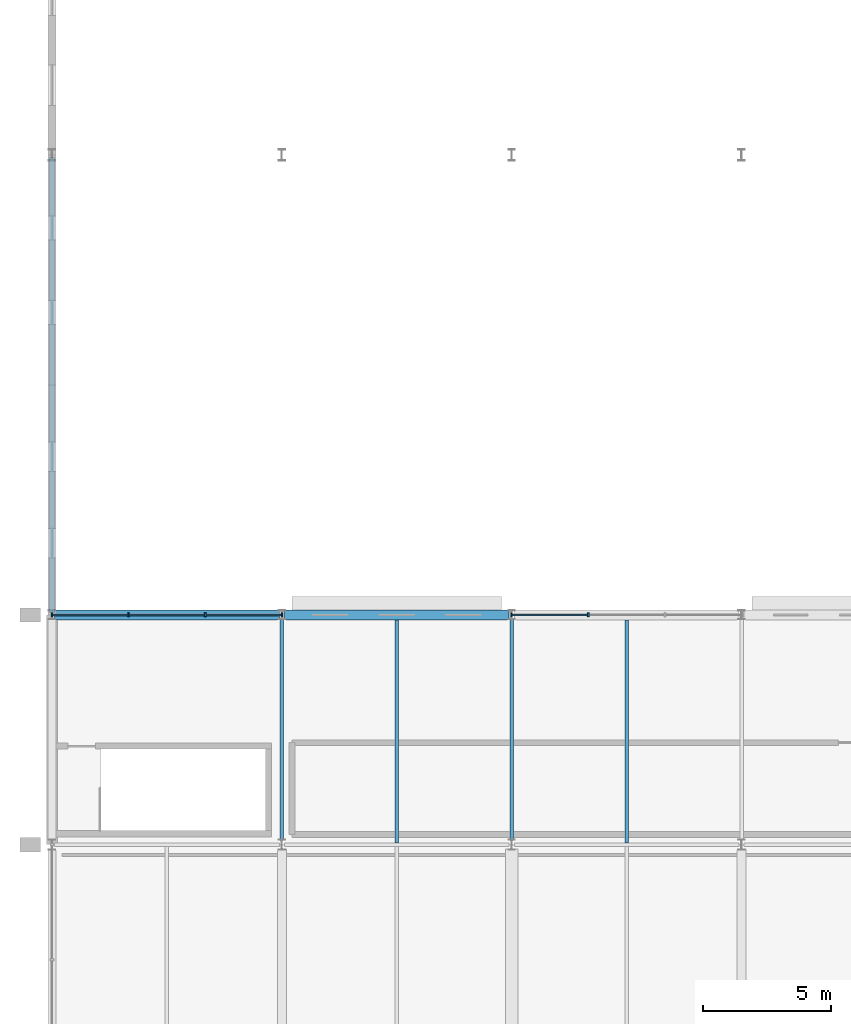
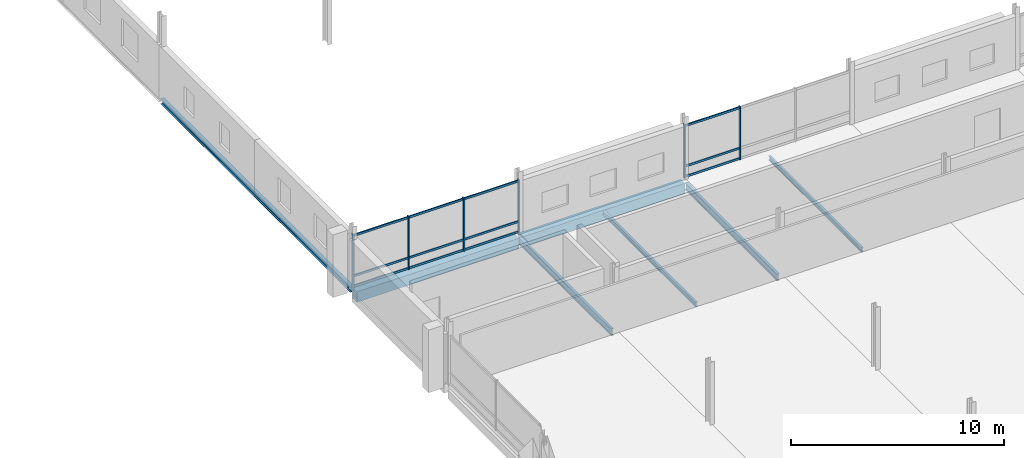
# One storey, part 47 of 132: 18 members, 7 beams, 2 elements without a shape of their own.
"""IFC4 building model written with IfcOpenShell, lengths in metres."""

import ifcopenshell
import ifcopenshell.guid

model = None  # the IFC model being written
_history = None  # IfcOwnerHistory: only IFC2X3 demands one
_inside = {}  # id of a spatial element -> (the spatial element, [elements in it])
_under = {}  # id of a project, library or spatial element -> (it, [spatial elements below it])
_declared = {}  # id of a project -> (the project, [libraries it declares])
_typed = {}  # id of a type object -> (the type object, [elements of that type])
_made_of = {}  # id of a material, layer set ... -> (it, [elements and type objects made of it])


def new_model(schema):
    """Start an empty IFC model of exactly this schema.

    Asked for "IFC4X3", IfcOpenShell would pick the latest addendum, in which some entities
    have other attributes; the version numbers below select the first issue.
    IFC2X3 requires an IfcOwnerHistory on every rooted entity: one is made here for all.
    """
    global model, _history
    if schema == "IFC4X3":
        model = ifcopenshell.file(schema_version=(4, 3, 0, 0))
    else:
        model = ifcopenshell.file(schema=schema)
    _inside.clear()
    _under.clear()
    _declared.clear()
    _typed.clear()
    _made_of.clear()
    _history = None
    if model.schema == "IFC2X3":
        org = make("IfcOrganization", Name="unknown")
        user = make(
            "IfcPersonAndOrganization",
            ThePerson=make("IfcPerson", FamilyName="unknown"),
            TheOrganization=org,
        )
        app = make(
            "IfcApplication",
            ApplicationDeveloper=org,
            Version="unknown",
            ApplicationFullName="unknown",
            ApplicationIdentifier="unknown",
        )
        _history = make(
            "IfcOwnerHistory",
            OwningUser=user,
            OwningApplication=app,
            ChangeAction="ADDED",
            CreationDate=0,
        )
    return model


def make(cls, **values):
    """One entity of the class cls with the attributes given. An attribute that is None is left unset."""
    return model.create_entity(
        cls, **{name: value for name, value in values.items() if value is not None}
    )


def rooted(cls, **values):
    """An entity with a GlobalId (a new one), such as an element, a storey or a relation."""
    return make(cls, GlobalId=ifcopenshell.guid.new(), OwnerHistory=_history, **values)


def si_unit(unit_type, name, prefix=None):
    """IfcSIUnit, for example si_unit("LENGTHUNIT", "METRE", prefix="MILLI")."""
    return make("IfcSIUnit", UnitType=unit_type, Prefix=prefix, Name=name)


def assignment(units):
    """IfcUnitAssignment: the units of a project."""
    return None if units is None else make("IfcUnitAssignment", Units=units)


def point(xyz):
    """IfcCartesianPoint."""
    return None if xyz is None else make("IfcCartesianPoint", Coordinates=xyz)


def direction(xyz):
    """IfcDirection."""
    return None if xyz is None else make("IfcDirection", DirectionRatios=xyz)


def frame(location, z_axis=None, x_axis=None):
    """IfcAxis2Placement3D, a coordinate frame: its origin and axes. An axis left out is left unset."""
    return make(
        "IfcAxis2Placement3D",
        Location=point(location),
        Axis=direction(z_axis),
        RefDirection=direction(x_axis),
    )


def frame_2d(location, x_axis=None):
    """IfcAxis2Placement2D, a coordinate frame in the plane: its origin and x axis."""
    return make(
        "IfcAxis2Placement2D", Location=point(location), RefDirection=direction(x_axis)
    )


def origin():
    """The frame at (0, 0, 0) with its axes left unset."""
    return frame((0.0, 0.0, 0.0))


def origin_2d():
    """The frame at (0, 0) in the plane with its x axis left unset."""
    return frame_2d((0.0, 0.0))


def place(relative_to, where):
    """IfcLocalPlacement: puts the frame where relative to a parent placement (None: the world)."""
    return make(
        "IfcLocalPlacement", PlacementRelTo=relative_to, RelativePlacement=where
    )


def context(
    kind, dimensions, precision=None, world=None, true_north=None, identifier=None
):
    """IfcGeometricRepresentationContext, for example the 3D "Model" context."""
    return make(
        "IfcGeometricRepresentationContext",
        ContextIdentifier=identifier,
        ContextType=kind,
        CoordinateSpaceDimension=dimensions,
        Precision=precision,
        WorldCoordinateSystem=world,
        TrueNorth=true_north,
    )


def subcontext(parent, identifier, kind, view, scale=None):
    """IfcGeometricRepresentationSubContext, for example "Body" below "Model"."""
    return make(
        "IfcGeometricRepresentationSubContext",
        ContextIdentifier=identifier,
        ContextType=kind,
        ParentContext=parent,
        TargetScale=scale,
        TargetView=view,
    )


def project(units=None, contexts=None):
    """IfcProject with its units and contexts."""
    return rooted(
        "IfcProject",
        Name="project",
        RepresentationContexts=contexts,
        UnitsInContext=assignment(units),
    )


def spatial(cls, under=None, at=None, **own):
    """A site, building, storey or space (cls), placed at a placement, below another one or the project."""
    s = rooted(cls, ObjectPlacement=at, **own)
    if under is not None:
        _under.setdefault(under.id(), (under, []))[1].append(s)
    return s


def profile(cls, at=None, kind="AREA", **sizes):
    """A parametric profile (cls). Its sizes go by their IFC names, for example OverallWidth=200.0."""
    return make(cls, ProfileType=kind, Position=at, **sizes)


def rectangle(**sizes):
    """IfcRectangleProfileDef."""
    return profile("IfcRectangleProfileDef", **sizes)


def i_section(**sizes):
    """IfcIShapeProfileDef."""
    return profile("IfcIShapeProfileDef", **sizes)


def extrude(swept, where, along, depth):
    """IfcExtrudedAreaSolid: the profile swept, set in the frame where, extruded along a direction by depth."""
    return make(
        "IfcExtrudedAreaSolid",
        SweptArea=swept,
        Position=where,
        ExtrudedDirection=direction(along),
        Depth=depth,
    )


def shape(context_of_items, identifier, shape_type, items):
    """IfcShapeRepresentation: the items that make up one representation, for example the "Body"."""
    return make(
        "IfcShapeRepresentation",
        ContextOfItems=context_of_items,
        RepresentationIdentifier=identifier,
        RepresentationType=shape_type,
        Items=items,
    )


def material(Name=None, Category=None):
    """IfcMaterial."""
    return make("IfcMaterial", Name=Name, Category=Category)


def material_profile(
    of_material, cross_section, Name=None, Category=None, Priority=None
):
    """IfcMaterialProfile: a cross section and its material."""
    return make(
        "IfcMaterialProfile",
        Name=Name,
        Material=of_material,
        Profile=cross_section,
        Priority=Priority,
        Category=Category,
    )


def profile_set(profiles, Name=None, composite=None):
    """IfcMaterialProfileSet."""
    return make(
        "IfcMaterialProfileSet",
        Name=Name,
        MaterialProfiles=profiles,
        CompositeProfile=composite,
    )


def made_of(thing, what):
    """Note that an element or type object is made of a material, layer set ...; save() writes the relation."""
    if what is not None:
        _made_of.setdefault(what.id(), (what, []))[1].append(thing)
    return thing


def type_object(cls, material=None, **own):
    """A type object (cls), such as IfcWallType, which elements share."""
    return made_of(rooted(cls, **own), material)


def element(
    cls,
    number,
    at=None,
    inside=None,
    cuts=None,
    type_object=None,
    material=None,
    context=None,
    identifier="Body",
    shape_type=None,
    held_by="IfcProductDefinitionShape",
    body=None,
    shapes=None,
    **own,
):
    """One element of the class cls, such as IfcWall. Its Tag is "e" and its number.

    at: its placement. inside: the storey or other place that contains it. cuts: it is an
    opening in that element (IfcRelVoidsElement). A single representation is given by context,
    identifier, shape_type and body (its items); several are given by shapes. held_by: the class
    of the entity that holds the representations. save() writes the other relations.
    """
    e = rooted(cls, Tag="e%d" % number, ObjectPlacement=at, **own)
    if body is not None:
        shapes = [shape(context, identifier, shape_type, body)]
    if shapes is not None:
        e.Representation = make(held_by, Representations=shapes)
    if inside is not None:
        _inside.setdefault(inside.id(), (inside, []))[1].append(e)
    if cuts is not None:
        rooted(
            "IfcRelVoidsElement", RelatingBuildingElement=cuts, RelatedOpeningElement=e
        )
    if type_object is not None:
        _typed.setdefault(type_object.id(), (type_object, []))[1].append(e)
    return made_of(e, material)


def aggregate(whole, parts):
    """IfcRelAggregates: a whole, such as a stair, and the parts it consists of."""
    return rooted("IfcRelAggregates", RelatingObject=whole, RelatedObjects=parts)


def save(model, path):
    """Write the relations noted so far, then the file.

    IfcRelAggregates (storeys below a building ...), IfcRelContainedInSpatialStructure (elements
    in a storey), IfcRelDefinesByType, IfcRelAssociatesMaterial and IfcRelDeclares: one each for
    every whole, place, type object, material and project.
    """
    for whole, parts in _under.values():
        aggregate(whole, parts)
    for where, things in _inside.values():
        rooted(
            "IfcRelContainedInSpatialStructure",
            RelatedElements=things,
            RelatingStructure=where,
        )
    for kind, things in _typed.values():
        rooted("IfcRelDefinesByType", RelatedObjects=things, RelatingType=kind)
    for what, things in _made_of.values():
        rooted("IfcRelAssociatesMaterial", RelatedObjects=things, RelatingMaterial=what)
    for by, libraries in _declared.values():
        rooted("IfcRelDeclares", RelatingContext=by, RelatedDefinitions=libraries)
    model.write(path)


model = new_model("IFC4")

# Units and contexts
model_context = context("Model", 3, precision=1e-05, world=origin(), true_north=direction((0.0, 1.0)))
body_context = subcontext(model_context, "Body", "Model", "MODEL_VIEW")
ifc_project = project(units=[si_unit("LENGTHUNIT", "METRE"), si_unit("AREAUNIT", "SQUARE_METRE"), si_unit("VOLUMEUNIT", "CUBIC_METRE"), si_unit("PLANEANGLEUNIT", "RADIAN"), si_unit("MASSUNIT", "GRAM", prefix="KILO")], contexts=[model_context])

# Site, building, storey
site_placement = place(None, origin())
site = spatial("IfcSite", under=ifc_project, at=site_placement, CompositionType="ELEMENT")
building_placement = place(site_placement, origin())
building = spatial("IfcBuilding", under=site, at=building_placement, Name="Tharagai Park Tramway Depot", CompositionType="ELEMENT")
storey_placement = place(building_placement, frame((0.0, 0.0, 4.800048828125)))
storey = spatial("IfcBuildingStorey", under=building, at=storey_placement, Name="L01", CompositionType="ELEMENT", Elevation=4.800048828125)

# Beams
ifc_material_1 = material(Name="Steel E350", Category="steel")
ifc_material_profile_1 = material_profile(ifc_material_1, i_section(OverallWidth=0.139892578125, OverallDepth=0.39990234375, WebThickness=0.0087890625, FlangeThickness=0.01611328125, FilletRadius=0.013916015625, at=origin_2d()), Name="ISMB 400")
ifc_profile_set_1 = profile_set([ifc_material_profile_1], Name="Steel E350")
beam_type_1 = type_object("IfcBeamType", Name="BM-06", PredefinedType="BEAM", material=ifc_profile_set_1)
for number, where, z_axis, x_axis, name in (
    (1, (9.0, 90.175048828125, -0.380126953125), (0.0, 1.0, 0.0), (-1.0, 0.0, 0.0), "L01 Grid Beam BM-06"),
    (2, (18.0, 90.175048828125, -0.380126953125), (0.0, 1.0, 0.0), (-1.0, 0.0, 0.0), "L01 Grid Beam BM-06"),
):
    element("IfcBeam", number, at=place(storey_placement, frame(where, z_axis=z_axis, x_axis=x_axis)), inside=storey, type_object=beam_type_1, Name=name, PredefinedType="BEAM", context=body_context, shape_type="SweptSolid", body=[
        extrude(i_section(OverallWidth=0.139892578125, OverallDepth=0.39990234375, WebThickness=0.0087890625, FlangeThickness=0.01611328125, FilletRadius=0.013916015625, at=origin_2d()), origin(), (0.0, 0.0, 1.0), 8.675048828125),
    ])

# Curtain wall, members
ifc_material_2 = material(Name="Anodised aluminium", Category="aluminium")
curtain_wall_type = type_object("IfcCurtainWallType", Name="CW-01", PredefinedType="NOTDEFINED", material=ifc_material_2)
curtain_wall_1_placement = place(storey_placement, origin())
curtain_wall_1 = element("IfcCurtainWall", 3, at=curtain_wall_1_placement, inside=storey, type_object=curtain_wall_type, Name="L01 V1 Gothic Mullioned Curtain Wall CW-01", PredefinedType="NOTDEFINED")
ifc_material_profile_2 = material_profile(ifc_material_2, rectangle(XDim=0.06494140625, YDim=0.1201171875, at=origin_2d()), Name="ALU 65x120")
ifc_profile_set_2 = profile_set([ifc_material_profile_2], Name="Anodised aluminium")
member_type_1 = type_object("IfcMemberType", Name="CM-01", PredefinedType="USERDEFINED", material=ifc_profile_set_2)
member_1_placement = place(storey_placement, frame((0.010986328125, 99.0, 0.06005859375), z_axis=(1.0, 0.0, 0.0), x_axis=(0.0, 1.0, 0.0)))
member_1 = element("IfcMember", 4, at=member_1_placement, type_object=member_type_1, Name="L01 V1 Gothic Mullioned Curtain Wall Transom 1.1", ObjectType="TRANSOM", PredefinedType="USERDEFINED", context=body_context, shape_type="SweptSolid", body=[
    extrude(rectangle(XDim=0.06494140625, YDim=0.1201171875, at=origin_2d()), origin(), (0.0, 0.0, 1.0), 2.97265625),
])
member_2_placement = place(storey_placement, frame((0.010986328125, 99.0, 0.64990234375), z_axis=(1.0, 0.0, 0.0), x_axis=(0.0, 1.0, 0.0)))
member_2 = element("IfcMember", 5, at=member_2_placement, type_object=member_type_1, Name="L01 V1 Gothic Mullioned Curtain Wall Transom 1.2", ObjectType="TRANSOM", PredefinedType="USERDEFINED", context=body_context, shape_type="SweptSolid", body=[
    extrude(rectangle(XDim=0.06494140625, YDim=0.1201171875, at=origin_2d()), origin(), (0.0, 0.0, 1.0), 2.97265625),
])
member_3_placement = place(storey_placement, frame((0.010986328125, 99.0, 2.969970703125), z_axis=(1.0, 0.0, 0.0), x_axis=(0.0, 1.0, 0.0)))
member_3 = element("IfcMember", 6, at=member_3_placement, type_object=member_type_1, Name="L01 V1 Gothic Mullioned Curtain Wall Transom 1.3", ObjectType="TRANSOM", PredefinedType="USERDEFINED", context=body_context, shape_type="SweptSolid", body=[
    extrude(rectangle(XDim=0.06494140625, YDim=0.1201171875, at=origin_2d()), origin(), (0.0, 0.0, 1.0), 2.97265625),
])
member_4_placement = place(storey_placement, frame((3.013671875, 99.0, 0.06005859375), z_axis=(1.0, 0.0, 0.0), x_axis=(0.0, 1.0, 0.0)))
member_4 = element("IfcMember", 7, at=member_4_placement, type_object=member_type_1, Name="L01 V1 Gothic Mullioned Curtain Wall Transom 2.1", ObjectType="TRANSOM", PredefinedType="USERDEFINED", context=body_context, shape_type="SweptSolid", body=[
    extrude(rectangle(XDim=0.06494140625, YDim=0.1201171875, at=origin_2d()), origin(), (0.0, 0.0, 1.0), 2.97265625),
])
member_5_placement = place(storey_placement, frame((3.013671875, 99.0, 0.64990234375), z_axis=(1.0, 0.0, 0.0), x_axis=(0.0, 1.0, 0.0)))
member_5 = element("IfcMember", 8, at=member_5_placement, type_object=member_type_1, Name="L01 V1 Gothic Mullioned Curtain Wall Transom 2.2", ObjectType="TRANSOM", PredefinedType="USERDEFINED", context=body_context, shape_type="SweptSolid", body=[
    extrude(rectangle(XDim=0.06494140625, YDim=0.1201171875, at=origin_2d()), origin(), (0.0, 0.0, 1.0), 2.97265625),
])
member_6_placement = place(storey_placement, frame((3.013671875, 99.0, 2.969970703125), z_axis=(1.0, 0.0, 0.0), x_axis=(0.0, 1.0, 0.0)))
member_6 = element("IfcMember", 9, at=member_6_placement, type_object=member_type_1, Name="L01 V1 Gothic Mullioned Curtain Wall Transom 2.3", ObjectType="TRANSOM", PredefinedType="USERDEFINED", context=body_context, shape_type="SweptSolid", body=[
    extrude(rectangle(XDim=0.06494140625, YDim=0.1201171875, at=origin_2d()), origin(), (0.0, 0.0, 1.0), 2.97265625),
])
member_7_placement = place(storey_placement, frame((6.016357421875, 99.0, 0.06005859375), z_axis=(1.0, 0.0, 0.0), x_axis=(0.0, 1.0, 0.0)))
member_7 = element("IfcMember", 10, at=member_7_placement, type_object=member_type_1, Name="L01 V1 Gothic Mullioned Curtain Wall Transom 3.1", ObjectType="TRANSOM", PredefinedType="USERDEFINED", context=body_context, shape_type="SweptSolid", body=[
    extrude(rectangle(XDim=0.06494140625, YDim=0.1201171875, at=origin_2d()), origin(), (0.0, 0.0, 1.0), 2.97265625),
])
member_8_placement = place(storey_placement, frame((6.016357421875, 99.0, 0.64990234375), z_axis=(1.0, 0.0, 0.0), x_axis=(0.0, 1.0, 0.0)))
member_8 = element("IfcMember", 11, at=member_8_placement, type_object=member_type_1, Name="L01 V1 Gothic Mullioned Curtain Wall Transom 3.2", ObjectType="TRANSOM", PredefinedType="USERDEFINED", context=body_context, shape_type="SweptSolid", body=[
    extrude(rectangle(XDim=0.06494140625, YDim=0.1201171875, at=origin_2d()), origin(), (0.0, 0.0, 1.0), 2.97265625),
])
member_9_placement = place(storey_placement, frame((6.016357421875, 99.0, 2.969970703125), z_axis=(1.0, 0.0, 0.0), x_axis=(0.0, 1.0, 0.0)))
member_9 = element("IfcMember", 12, at=member_9_placement, type_object=member_type_1, Name="L01 V1 Gothic Mullioned Curtain Wall Transom 3.3", ObjectType="TRANSOM", PredefinedType="USERDEFINED", context=body_context, shape_type="SweptSolid", body=[
    extrude(rectangle(XDim=0.06494140625, YDim=0.1201171875, at=origin_2d()), origin(), (0.0, 0.0, 1.0), 2.97265625),
])

curtain_wall_2_placement = place(storey_placement, origin())
curtain_wall_2 = element("IfcCurtainWall", 13, at=curtain_wall_2_placement, inside=storey, type_object=curtain_wall_type, Name="L01 V1 Gothic Mullioned Curtain Wall CW-01", PredefinedType="NOTDEFINED")
member_10_placement = place(storey_placement, frame((18.010986328125, 99.0, 0.06005859375), z_axis=(1.0, 0.0, 0.0), x_axis=(0.0, 1.0, 0.0)))
member_10 = element("IfcMember", 14, at=member_10_placement, type_object=member_type_1, Name="L01 V1 Gothic Mullioned Curtain Wall Transom 1.1", ObjectType="TRANSOM", PredefinedType="USERDEFINED", context=body_context, shape_type="SweptSolid", body=[
    extrude(rectangle(XDim=0.06494140625, YDim=0.1201171875, at=origin_2d()), origin(), (0.0, 0.0, 1.0), 2.97265625),
])
member_11_placement = place(storey_placement, frame((18.010986328125, 99.0, 0.64990234375), z_axis=(1.0, 0.0, 0.0), x_axis=(0.0, 1.0, 0.0)))
member_11 = element("IfcMember", 15, at=member_11_placement, type_object=member_type_1, Name="L01 V1 Gothic Mullioned Curtain Wall Transom 1.2", ObjectType="TRANSOM", PredefinedType="USERDEFINED", context=body_context, shape_type="SweptSolid", body=[
    extrude(rectangle(XDim=0.06494140625, YDim=0.1201171875, at=origin_2d()), origin(), (0.0, 0.0, 1.0), 2.97265625),
])
member_12_placement = place(storey_placement, frame((18.010986328125, 99.0, 2.969970703125), z_axis=(1.0, 0.0, 0.0), x_axis=(0.0, 1.0, 0.0)))
member_12 = element("IfcMember", 16, at=member_12_placement, type_object=member_type_1, Name="L01 V1 Gothic Mullioned Curtain Wall Transom 1.3", ObjectType="TRANSOM", PredefinedType="USERDEFINED", context=body_context, shape_type="SweptSolid", body=[
    extrude(rectangle(XDim=0.06494140625, YDim=0.1201171875, at=origin_2d()), origin(), (0.0, 0.0, 1.0), 2.97265625),
])

# Member
ifc_material_profile_3 = material_profile(ifc_material_2, rectangle(XDim=0.06494140625, YDim=0.14990234375, at=origin_2d()), Name="ALU 65x150")
ifc_profile_set_3 = profile_set([ifc_material_profile_3], Name="Anodised aluminium")
member_type_2 = type_object("IfcMemberType", Name="CM-03", PredefinedType="MULLION", material=ifc_profile_set_3)
member_13_placement = place(storey_placement, frame((-0.00390625, 99.0, -0.005126953125), z_axis=(0.0, 0.0, 1.0), x_axis=(1.0, 0.0, 0.0)))
member_13 = element("IfcMember", 17, at=member_13_placement, type_object=member_type_2, Name="L01 V1 Gothic Mullioned Curtain Wall Mullion 1", PredefinedType="MULLION", context=body_context, shape_type="SweptSolid", body=[
    extrude(rectangle(XDim=0.06494140625, YDim=0.14990234375, at=origin_2d()), origin(), (0.0, 0.0, 1.0), 3.06005859375),
])

member_14_placement = place(storey_placement, frame((2.998779296875, 99.0, -0.005126953125), z_axis=(0.0, 0.0, 1.0), x_axis=(1.0, 0.0, 0.0)))
member_14 = element("IfcMember", 18, at=member_14_placement, type_object=member_type_2, Name="L01 V1 Gothic Mullioned Curtain Wall Mullion 2", PredefinedType="MULLION", context=body_context, shape_type="SweptSolid", body=[
    extrude(rectangle(XDim=0.06494140625, YDim=0.14990234375, at=origin_2d()), origin(), (0.0, 0.0, 1.0), 3.06005859375),
])

member_15_placement = place(storey_placement, frame((6.001220703125, 99.0, -0.005126953125), z_axis=(0.0, 0.0, 1.0), x_axis=(1.0, 0.0, 0.0)))
member_15 = element("IfcMember", 19, at=member_15_placement, type_object=member_type_2, Name="L01 V1 Gothic Mullioned Curtain Wall Mullion 3", PredefinedType="MULLION", context=body_context, shape_type="SweptSolid", body=[
    extrude(rectangle(XDim=0.06494140625, YDim=0.14990234375, at=origin_2d()), origin(), (0.0, 0.0, 1.0), 3.06005859375),
])

member_16_placement = place(storey_placement, frame((9.00390625, 99.0, -0.005126953125), z_axis=(0.0, 0.0, 1.0), x_axis=(1.0, 0.0, 0.0)))
member_16 = element("IfcMember", 20, at=member_16_placement, type_object=member_type_2, Name="L01 V1 Gothic Mullioned Curtain Wall Mullion 4", PredefinedType="MULLION", context=body_context, shape_type="SweptSolid", body=[
    extrude(rectangle(XDim=0.06494140625, YDim=0.14990234375, at=origin_2d()), origin(), (0.0, 0.0, 1.0), 3.06005859375),
])

aggregate(curtain_wall_1, [member_13, member_14, member_15, member_16, member_1, member_2, member_3, member_4, member_5, member_6, member_7, member_8, member_9])

member_17_placement = place(storey_placement, frame((17.99609375, 99.0, -0.005126953125), z_axis=(0.0, 0.0, 1.0), x_axis=(1.0, 0.0, 0.0)))
member_17 = element("IfcMember", 21, at=member_17_placement, type_object=member_type_2, Name="L01 V1 Gothic Mullioned Curtain Wall Mullion 1", PredefinedType="MULLION", context=body_context, shape_type="SweptSolid", body=[
    extrude(rectangle(XDim=0.06494140625, YDim=0.14990234375, at=origin_2d()), origin(), (0.0, 0.0, 1.0), 3.06005859375),
])

member_18_placement = place(storey_placement, frame((20.998779296875, 99.0, -0.005126953125), z_axis=(0.0, 0.0, 1.0), x_axis=(1.0, 0.0, 0.0)))
member_18 = element("IfcMember", 22, at=member_18_placement, type_object=member_type_2, Name="L01 V1 Gothic Mullioned Curtain Wall Mullion 2", PredefinedType="MULLION", context=body_context, shape_type="SweptSolid", body=[
    extrude(rectangle(XDim=0.06494140625, YDim=0.14990234375, at=origin_2d()), origin(), (0.0, 0.0, 1.0), 3.06005859375),
])

aggregate(curtain_wall_2, [member_17, member_18, member_10, member_11, member_12])

# Beams
ifc_material_3 = material(Name="Steel E250", Category="steel")
ifc_material_profile_4 = material_profile(ifc_material_3, i_section(OverallWidth=0.125, OverallDepth=0.25, WebThickness=0.0068359375, FlangeThickness=0.012451171875, FilletRadius=0.012939453125, at=origin_2d()), Name="ISMB 250")
ifc_profile_set_4 = profile_set([ifc_material_profile_4], Name="Steel E250")
beam_type_2 = type_object("IfcBeamType", Name="JT-02", PredefinedType="JOIST", material=ifc_profile_set_4)
for number, where, z_axis, x_axis, name in (
    (23, (13.5, 90.074951171875, -0.304931640625), (0.0, 1.0, 0.0), (-1.0, 0.0, 0.0), "L01 Secondary Joist JT-02"),
    (24, (22.5, 90.074951171875, -0.304931640625), (0.0, 1.0, 0.0), (-1.0, 0.0, 0.0), "L01 Secondary Joist JT-02"),
):
    element("IfcBeam", number, at=place(storey_placement, frame(where, z_axis=z_axis, x_axis=x_axis)), inside=storey, type_object=beam_type_2, Name=name, PredefinedType="JOIST", context=body_context, shape_type="SweptSolid", body=[
        extrude(i_section(OverallWidth=0.125, OverallDepth=0.25, WebThickness=0.0068359375, FlangeThickness=0.012451171875, FilletRadius=0.012939453125, at=origin_2d()), origin(), (0.0, 0.0, 1.0), 8.72509765625),
    ])
ifc_material_4 = material(Name="Concrete M35", Category="concrete")
ifc_material_profile_5 = material_profile(ifc_material_4, rectangle(XDim=0.39990234375, YDim=0.60009765625, at=origin_2d()), Name="RC 400x600")
ifc_profile_set_5 = profile_set([ifc_material_profile_5], Name="Concrete M35")
beam_type_3 = type_object("IfcBeamType", Name="SP-02", PredefinedType="SPANDREL", material=ifc_profile_set_5)
for number, where, z_axis, x_axis, name in (
    (25, (0.10009765625, 99.0, -0.47998046875), (1.0, 0.0, 0.0), (0.0, 1.0, 0.0), "L01 Grid Beam SP-02"),
    (26, (9.10009765625, 99.0, -0.47998046875), (1.0, 0.0, 0.0), (0.0, 1.0, 0.0), "L01 Grid Beam SP-02"),
):
    element("IfcBeam", number, at=place(storey_placement, frame(where, z_axis=z_axis, x_axis=x_axis)), inside=storey, type_object=beam_type_3, Name=name, PredefinedType="SPANDREL", context=body_context, shape_type="SweptSolid", body=[
        extrude(rectangle(XDim=0.39990234375, YDim=0.60009765625, at=origin_2d()), origin(), (0.0, 0.0, 1.0), 8.7998046875),
    ])
ifc_material_profile_6 = material_profile(ifc_material_1, i_section(OverallWidth=0.199951171875, OverallDepth=0.300048828125, WebThickness=0.00732421875, FlangeThickness=0.010009765625, FilletRadius=0.010986328125, at=origin_2d()), Name="ISWB 300")
ifc_profile_set_6 = profile_set([ifc_material_profile_6], Name="Steel E350")
beam_type_4 = type_object("IfcBeamType", Name="SP-04", PredefinedType="SPANDREL", material=ifc_profile_set_6)
beam_placement = place(storey_placement, frame((0.0, 99.080078125, -0.150146484375), z_axis=(0.0, 1.0, 0.0), x_axis=(-1.0, 0.0, 0.0)))
element("IfcBeam", 27, at=beam_placement, inside=storey, type_object=beam_type_4, Name="V1 Shed Gable Girt Beam SP-04", PredefinedType="SPANDREL", context=body_context, shape_type="SweptSolid", body=[
    extrude(i_section(OverallWidth=0.199951171875, OverallDepth=0.300048828125, WebThickness=0.00732421875, FlangeThickness=0.010009765625, FilletRadius=0.010986328125, at=origin_2d()), origin(), (0.0, 0.0, 1.0), 17.83984375),
])

save(model, "model.ifc")
